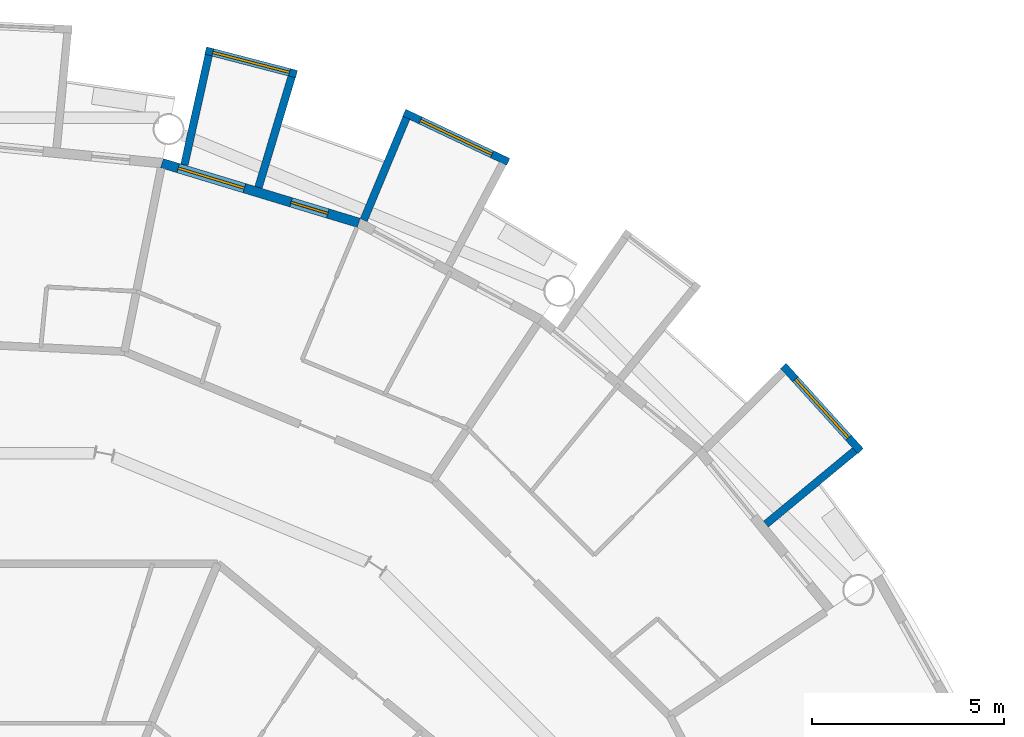
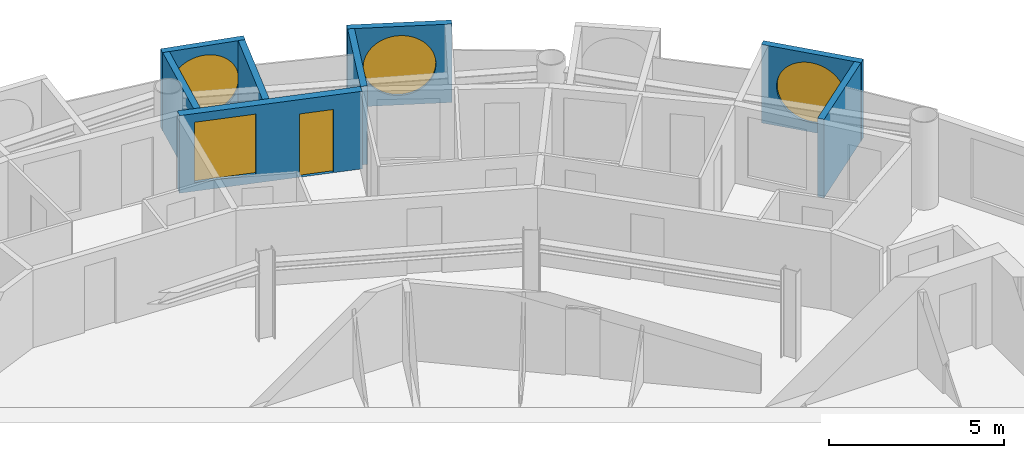
# One storey, part 24 of 28: 8 walls, 4 windows, 1 door, 5 openings.
"""IFC4 building model written with IfcOpenShell, lengths in metres."""

from ifc_helpers import new_model, si_unit, direction, frame, frame_2d, origin, place, context, subcontext, project, spatial, rectangle, circle, extrude, material, layer, layer_set, type_object, element, fill, save


model = new_model("IFC4")

# Units and contexts
model_context = context("Model", 3, precision=1e-05, world=origin(), true_north=direction((0.0, 1.0)))
body_context = subcontext(model_context, "Body", "Model", "MODEL_VIEW")
ifc_project = project(units=[si_unit("LENGTHUNIT", "METRE"), si_unit("AREAUNIT", "SQUARE_METRE"), si_unit("VOLUMEUNIT", "CUBIC_METRE"), si_unit("PLANEANGLEUNIT", "RADIAN"), si_unit("MASSUNIT", "GRAM", prefix="KILO")], contexts=[model_context])

# Site, building, storey
site_placement = place(None, origin())
site = spatial("IfcSite", under=ifc_project, at=site_placement, CompositionType="ELEMENT")
building_placement = place(site_placement, origin())
building = spatial("IfcBuilding", under=site, at=building_placement, Name="Maasbend Ring Residences", CompositionType="ELEMENT")
storey_placement = place(building_placement, frame((0.0, 0.0, 173.800048828125)))
storey = spatial("IfcBuildingStorey", under=building, at=storey_placement, Name="L50", CompositionType="ELEMENT", Elevation=173.800048828125)

# Wall, opening, window
ifc_material_1 = material(Name="Pale anodised aluminium panel", Category="aluminium")
ifc_layer_1 = layer(ifc_material_1, 0.199951171875)
ifc_layer_set_1 = layer_set([ifc_layer_1], Name="EW-BOX")
wall_type_1 = type_object("IfcWallType", Name="EW-BOX", PredefinedType="SOLIDWALL", material=ifc_layer_set_1)
wall_1_placement = place(storey_placement, frame((23.5029296875, 19.281982421875, -0.030029296875), z_axis=(0.0, 0.0, 1.0), x_axis=(-0.671506829416, 0.740998365753, 0.0)))
wall_1 = element("IfcWall", 1, at=wall_1_placement, inside=storey, type_object=wall_type_1, Name="Box front N02", PredefinedType="SOLIDWALL", context=body_context, shape_type="SweptSolid", body=[
    extrude(rectangle(XDim=2.9931640625, YDim=0.199951171875, at=frame_2d((1.49658203125, 0.0))), origin(), (0.0, 0.0, 1.0), 2.72998046875),
])
opening_1_placement = place(wall_1_placement, frame((0.45654296875, 0.0, 0.330078125)))
opening_1 = element("IfcOpeningElement", 2, at=opening_1_placement, cuts=wall_1, Name="Opening W-RD", PredefinedType="OPENING", context=body_context, shape_type="SweptSolid", body=[
    extrude(circle(Radius=1.0400390625, at=frame_2d((1.0400390625, 1.0400390625))), frame((0.0, 0.10986328125, 0.0), z_axis=(0.0, -1.0, 0.0), x_axis=(1.0, 0.0, 0.0)), (0.0, 0.0, 1.0), 0.219970703125),
])
ifc_material_2 = material(Name="Aluminium and clear glass", Category="aluminium")
window_type_1 = type_object("IfcWindowType", Name="W-RD", PartitioningType="SINGLE_PANEL", PredefinedType="WINDOW", material=ifc_material_2)
window_1_placement = place(opening_1_placement, origin())
window_1 = element("IfcWindow", 3, at=window_1_placement, inside=storey, type_object=window_type_1, Name="Round window N02", OverallHeight=2.080078125, OverallWidth=2.080078125, PartitioningType="SINGLE_PANEL", PredefinedType="WINDOW", context=body_context, shape_type="SweptSolid", body=[
    extrude(circle(Radius=1.0400390625, at=frame_2d((1.0400390625, 1.0400390625))), frame((0.0, 0.030029296875, 0.0), z_axis=(0.0, -1.0, 0.0), x_axis=(1.0, 0.0, 0.0)), (0.0, 0.0, 1.0), 0.06005859375),
])
fill(opening_1, window_1)

# Wall
wall_2_placement = place(storey_placement, frame((21.041015625, 17.384033203125, -0.030029296875), z_axis=(0.0, 0.0, 1.0), x_axis=(0.770784861449, 0.63709551667, 0.0)))
element("IfcWall", 4, at=wall_2_placement, inside=storey, type_object=wall_type_1, Name="Box side wall N02 left", PredefinedType="SOLIDWALL", context=body_context, shape_type="SweptSolid", body=[
    extrude(rectangle(XDim=3.005859375, YDim=0.199951171875, at=frame_2d((1.5029296875, 0.0))), origin(), (0.0, 0.0, 1.0), 2.72998046875),
])

# Wall, opening, window
wall_3_placement = place(storey_placement, frame((14.3349609375, 26.80810546875, -0.030029296875), z_axis=(0.0, 0.0, 1.0), x_axis=(-0.904000060331, 0.427532327342, 0.0)))
wall_3 = element("IfcWall", 5, at=wall_3_placement, inside=storey, type_object=wall_type_1, Name="Box front N06", PredefinedType="SOLIDWALL", context=body_context, shape_type="SweptSolid", body=[
    extrude(rectangle(XDim=2.993408203125, YDim=0.199951171875, at=frame_2d((1.49658203125, 0.0))), origin(), (0.0, 0.0, 1.0), 2.72998046875),
])
opening_2_placement = place(wall_3_placement, frame((0.45654296875, 0.0, 0.330078125)))
opening_2 = element("IfcOpeningElement", 6, at=opening_2_placement, cuts=wall_3, Name="Opening W-RD", PredefinedType="OPENING", context=body_context, shape_type="SweptSolid", body=[
    extrude(circle(Radius=1.0400390625, at=frame_2d((1.0400390625, 1.0400390625))), frame((0.0, 0.10986328125, 0.0), z_axis=(0.0, -1.0, 0.0), x_axis=(1.0, 0.0, 0.0)), (0.0, 0.0, 1.0), 0.219970703125),
])
window_2_placement = place(opening_2_placement, origin())
window_2 = element("IfcWindow", 7, at=window_2_placement, inside=storey, type_object=window_type_1, Name="Round window N06", OverallHeight=2.080078125, OverallWidth=2.080078125, PartitioningType="SINGLE_PANEL", PredefinedType="WINDOW", context=body_context, shape_type="SweptSolid", body=[
    extrude(circle(Radius=1.0400390625, at=frame_2d((1.0400390625, 1.0400390625))), frame((0.0, 0.030029296875, 0.0), z_axis=(0.0, -1.0, 0.0), x_axis=(1.0, 0.0, 0.0)), (0.0, 0.0, 1.0), 0.06005859375),
])
fill(opening_2, window_2)

# Wall
wall_4_placement = place(storey_placement, frame((10.574951171875, 25.294921875, -0.030029296875), z_axis=(0.0, 0.0, 1.0), x_axis=(0.385697364644, 0.922625353492, 0.0)))
element("IfcWall", 8, at=wall_4_placement, inside=storey, type_object=wall_type_1, Name="Box side wall N06 right", PredefinedType="SOLIDWALL", context=body_context, shape_type="SweptSolid", body=[
    extrude(rectangle(XDim=2.88330078125, YDim=0.199951171875, at=frame_2d((1.441650390625, 0.0))), origin(), (0.0, 0.0, 1.0), 2.72998046875),
])

# Wall, opening, window
wall_5_placement = place(storey_placement, frame((8.8291015625, 29.090087890625, -0.030029296875), z_axis=(0.0, 0.0, 1.0), x_axis=(-0.96789536872, 0.251353446784, 0.0)))
wall_5 = element("IfcWall", 9, at=wall_5_placement, inside=storey, type_object=wall_type_1, Name="Box front N08", PredefinedType="SOLIDWALL", context=body_context, shape_type="SweptSolid", body=[
    extrude(rectangle(XDim=2.44677734375, YDim=0.199951171875, at=frame_2d((1.223388671875, 0.0))), origin(), (0.0, 0.0, 1.0), 2.72998046875),
])
opening_3_placement = place(wall_5_placement, frame((0.182861328125, 0.0, 0.330078125)))
opening_3 = element("IfcOpeningElement", 10, at=opening_3_placement, cuts=wall_5, Name="Opening W-RD", PredefinedType="OPENING", context=body_context, shape_type="SweptSolid", body=[
    extrude(circle(Radius=1.0400390625, at=frame_2d((1.0400390625, 1.0400390625))), frame((0.0, 0.10986328125, 0.0), z_axis=(0.0, -1.0, 0.0), x_axis=(1.0, 0.0, 0.0)), (0.0, 0.0, 1.0), 0.219970703125),
])
window_3_placement = place(opening_3_placement, origin())
window_3 = element("IfcWindow", 11, at=window_3_placement, inside=storey, type_object=window_type_1, Name="Round window N08", OverallHeight=2.080078125, OverallWidth=2.080078125, PartitioningType="SINGLE_PANEL", PredefinedType="WINDOW", context=body_context, shape_type="SweptSolid", body=[
    extrude(circle(Radius=1.0400390625, at=frame_2d((1.0400390625, 1.0400390625))), frame((0.0, 0.030029296875, 0.0), z_axis=(0.0, -1.0, 0.0), x_axis=(1.0, 0.0, 0.0)), (0.0, 0.0, 1.0), 0.06005859375),
])
fill(opening_3, window_3)

# Walls
wall_6_placement = place(storey_placement, frame((7.8369140625, 26.14404296875, -0.030029296875), z_axis=(0.0, 0.0, 1.0), x_axis=(0.287064767992, 0.957911174889, 0.0)))
element("IfcWall", 12, at=wall_6_placement, inside=storey, type_object=wall_type_1, Name="Box side wall N08 left", PredefinedType="SOLIDWALL", context=body_context, shape_type="SweptSolid", body=[
    extrude(rectangle(XDim=3.00634765625, YDim=0.199951171875, at=frame_2d((1.503173828125, 0.0))), origin(), (0.0, 0.0, 1.0), 2.72998046875),
])
wall_7_placement = place(storey_placement, frame((5.908935546875, 26.72900390625, -0.030029296875), z_axis=(0.0, 0.0, 1.0), x_axis=(0.216409053917, 0.976302781612, 0.0)))
element("IfcWall", 13, at=wall_7_placement, inside=storey, type_object=wall_type_1, Name="Box side wall N08 right", PredefinedType="SOLIDWALL", context=body_context, shape_type="SweptSolid", body=[
    extrude(rectangle(XDim=2.92529296875, YDim=0.199951171875, at=frame_2d((1.462646484375, 0.0))), origin(), (0.0, 0.0, 1.0), 2.72998046875),
])

# Wall, openings, door, window
ifc_material_3 = material(Name="Aluminium clad insulated panel", Category="aluminium")
ifc_layer_2 = layer(ifc_material_3, 0.25)
ifc_layer_set_2 = layer_set([ifc_layer_2], Name="EW-GL")
wall_type_2 = type_object("IfcWallType", Name="EW-GL", PredefinedType="SOLIDWALL", material=ifc_layer_set_2)
wall_8_placement = place(storey_placement, frame((10.447021484375, 25.221923828125, 0.0), z_axis=(0.0, 0.0, 1.0), x_axis=(-0.956965678721, 0.290201119486, 0.0)))
wall_8 = element("IfcWall", 14, at=wall_8_placement, inside=storey, type_object=wall_type_2, Name="External wall N04", PredefinedType="SOLIDWALL", context=body_context, shape_type="SweptSolid", body=[
    extrude(rectangle(XDim=5.351318359375, YDim=0.25, at=frame_2d((2.67578125, 0.0))), origin(), (0.0, 0.0, 1.0), 2.699951171875),
])
opening_4_placement = place(wall_8_placement, frame((0.841064453125, 0.0, 0.0)))
opening_4 = element("IfcOpeningElement", 15, at=opening_4_placement, cuts=wall_8, Name="Opening D-LG", PredefinedType="OPENING", context=body_context, shape_type="SweptSolid", body=[
    extrude(rectangle(XDim=1.0, YDim=2.199951171875, at=frame_2d((0.5, 1.10009765625))), frame((0.0, 0.135009765625, 0.0), z_axis=(0.0, -1.0, 0.0), x_axis=(1.0, 0.0, 0.0)), (0.0, 0.0, 1.0), 0.27001953125),
])
opening_5_placement = place(wall_8_placement, frame((3.110595703125, 0.0, 0.300048828125)))
opening_5 = element("IfcOpeningElement", 16, at=opening_5_placement, cuts=wall_8, Name="Opening W-BX", PredefinedType="OPENING", context=body_context, shape_type="SweptSolid", body=[
    extrude(rectangle(XDim=1.800048828125, YDim=2.10009765625, at=frame_2d((0.89990234375, 1.050048828125))), frame((0.0, 0.135009765625, 0.0), z_axis=(0.0, -1.0, 0.0), x_axis=(1.0, 0.0, 0.0)), (0.0, 0.0, 1.0), 0.27001953125),
])
ifc_material_4 = material(Name="Aluminium and clear glass", Category="aluminium")
door_type = type_object("IfcDoorType", Name="D-LG", OperationType="SINGLE_SWING_LEFT", PredefinedType="DOOR", material=ifc_material_4)
door_placement = place(opening_4_placement, origin())
door = element("IfcDoor", 17, at=door_placement, inside=storey, type_object=door_type, Name="Loggia door N07", OperationType="SINGLE_SWING_LEFT", OverallHeight=2.199951171875, OverallWidth=1.0, PredefinedType="DOOR", context=body_context, shape_type="SweptSolid", body=[
    extrude(rectangle(XDim=1.0, YDim=2.199951171875, at=frame_2d((0.5, 1.10009765625))), frame((0.0, 0.02490234375, 0.0), z_axis=(0.0, -1.0, 0.0), x_axis=(1.0, 0.0, 0.0)), (0.0, 0.0, 1.0), 0.050048828125),
])
fill(opening_4, door)
ifc_material_5 = material(Name="Aluminium and clear glass", Category="aluminium")
window_type_2 = type_object("IfcWindowType", Name="W-BX", PartitioningType="DOUBLE_PANEL_VERTICAL", PredefinedType="WINDOW", material=ifc_material_5)
window_4_placement = place(opening_5_placement, origin())
window_4 = element("IfcWindow", 18, at=window_4_placement, inside=storey, type_object=window_type_2, Name="Window N08 room to box", OverallHeight=2.10009765625, OverallWidth=1.800048828125, PartitioningType="SINGLE_PANEL", PredefinedType="WINDOW", context=body_context, shape_type="SweptSolid", body=[
    extrude(rectangle(XDim=1.800048828125, YDim=2.10009765625, at=frame_2d((0.89990234375, 1.050048828125))), frame((0.0, 0.030029296875, 0.0), z_axis=(0.0, -1.0, 0.0), x_axis=(1.0, 0.0, 0.0)), (0.0, 0.0, 1.0), 0.06005859375),
])
fill(opening_5, window_4)

save(model, "model.ifc")
